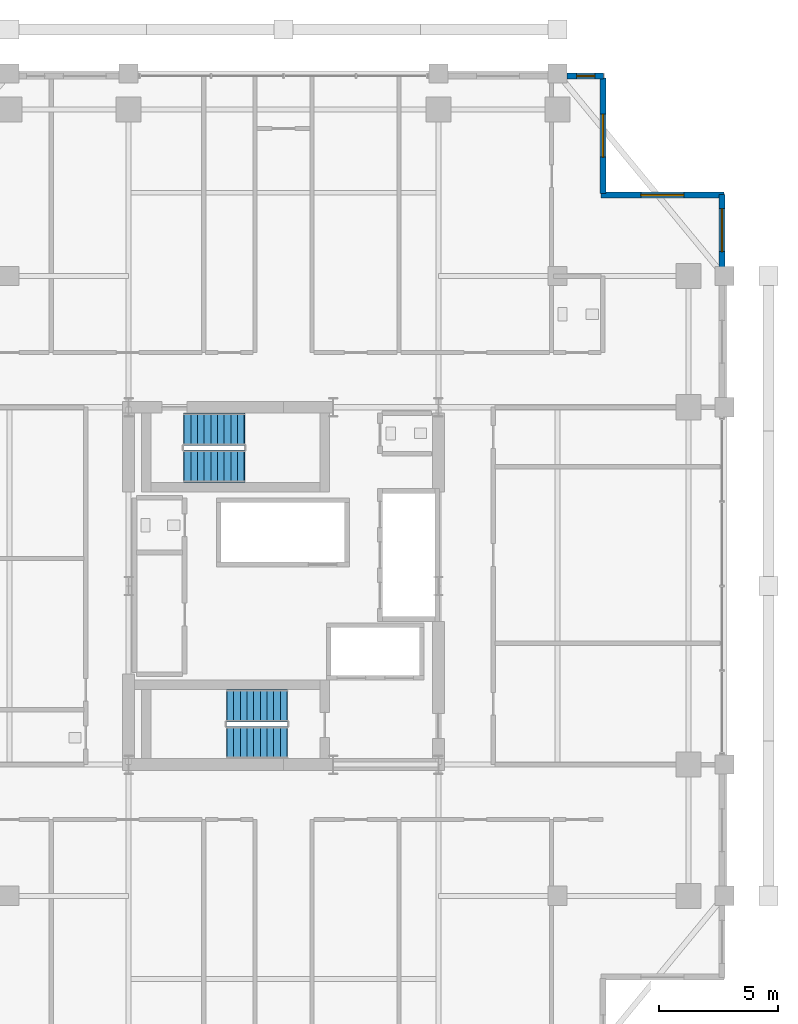
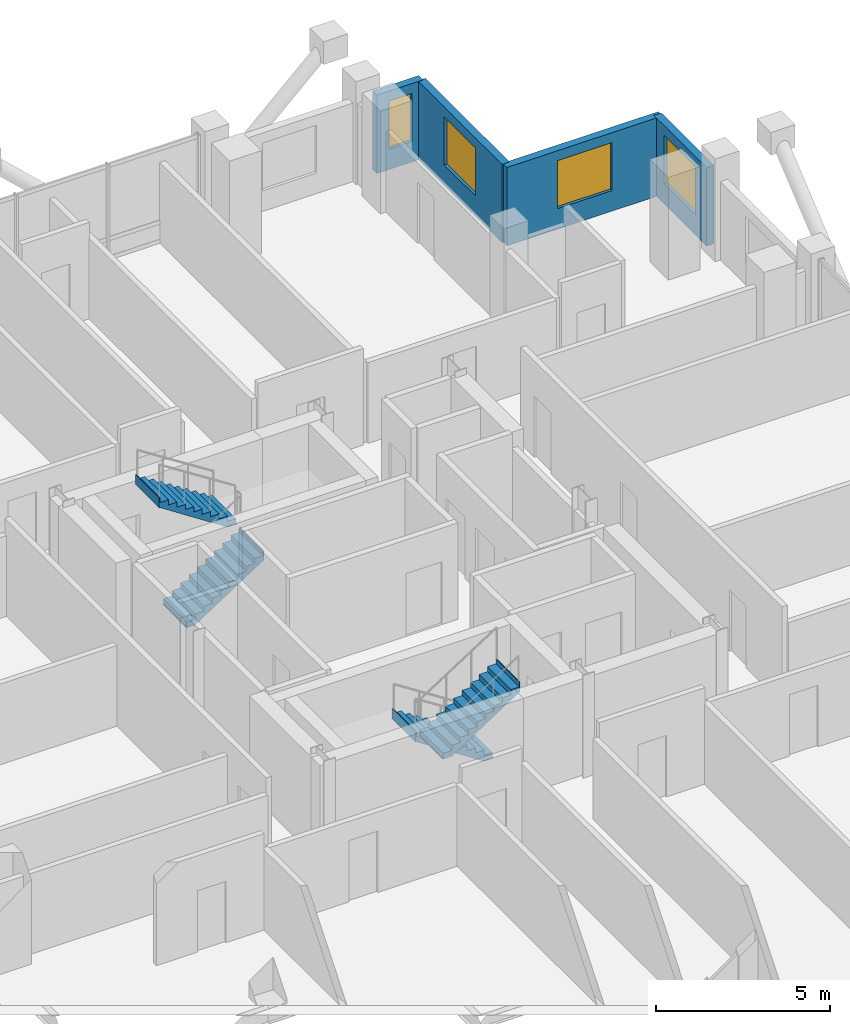
# One storey, part 21 of 23: 4 stair flights, 4 walls, 4 windows, 4 openings, 2 elements without a shape of their own.
"""IFC4 building model written with IfcOpenShell, lengths in metres."""

from ifc_helpers import new_model, si_unit, direction, frame, frame_2d, origin, place, context, subcontext, project, spatial, polyline, rectangle, outline, extrude, material, layer, layer_set, type_object, element, fill, aggregate, save


model = new_model("IFC4")

# Units and contexts
model_context = context("Model", 3, precision=1e-05, world=origin(), true_north=direction((0.0, 1.0)))
body_context = subcontext(model_context, "Body", "Model", "MODEL_VIEW")
ifc_project = project(units=[si_unit("LENGTHUNIT", "METRE"), si_unit("AREAUNIT", "SQUARE_METRE"), si_unit("VOLUMEUNIT", "CUBIC_METRE"), si_unit("PLANEANGLEUNIT", "RADIAN"), si_unit("MASSUNIT", "GRAM", prefix="KILO")], contexts=[model_context])

# Site, building, storey
site_placement = place(None, origin())
site = spatial("IfcSite", under=ifc_project, at=site_placement, CompositionType="ELEMENT")
building_placement = place(site_placement, origin())
building = spatial("IfcBuilding", under=site, at=building_placement, Name="Barlavira Tower and Art Museum", CompositionType="ELEMENT")
storey_placement = place(building_placement, frame((0.0, 0.0, 205.199951171875)))
storey = spatial("IfcBuildingStorey", under=building, at=storey_placement, Name="L53", CompositionType="ELEMENT", Elevation=205.199951171875)

# Wall, opening, window
ifc_material_1 = material(Name="Precast concrete C40", Category="concrete")
ifc_layer = layer(ifc_material_1, 0.25, Name="Precast concrete C40")
ifc_layer_set = layer_set([ifc_layer], Name="Precast concrete C40")
wall_type = type_object("IfcWallType", Name="Notched Corner Spandrel Wall 250 Precast Concrete C40", PredefinedType="SOLIDWALL", material=ifc_layer_set)
wall_1_placement = place(storey_placement, frame((13.425048828125, 21.39990234375, 0.0), z_axis=(0.0, 0.0, 1.0), x_axis=(-1.0, 0.0, 0.0)))
wall_1 = element("IfcWall", 1, at=wall_1_placement, inside=storey, type_object=wall_type, Name="L53 Coastal Facade Pier Wall CW3-L53-N-1", PredefinedType="SOLIDWALL", context=body_context, shape_type="SweptSolid", body=[
    extrude(rectangle(XDim=1.530029296875, YDim=0.25, at=frame_2d((0.76513671875, 0.0))), origin(), (0.0, 0.0, 1.0), 2.748046875),
])
opening_1_placement = place(wall_1_placement, frame((0.363037109375, 0.0, 0.719970703125)))
opening_1 = element("IfcOpeningElement", 2, at=opening_1_placement, cuts=wall_1, Name="Opening WN-06", PredefinedType="OPENING", context=body_context, shape_type="SweptSolid", body=[
    extrude(rectangle(XDim=0.760009765625, YDim=1.679931640625, at=frame_2d((0.3798828125, 0.83984375))), frame((0.0, 0.135009765625, 0.0), z_axis=(0.0, -1.0, 0.0), x_axis=(1.0, 0.0, 0.0)), (0.0, 0.0, 1.0), 0.27001953125),
])
ifc_material_2 = material(Name="Low-iron coastal laminated glass", Category="glass")
window_type_1 = type_object("IfcWindowType", Name="Recessed Narrow Pier Window 760x1680", PartitioningType="SINGLE_PANEL", PredefinedType="WINDOW", material=ifc_material_2)
window_1_placement = place(opening_1_placement, origin())
window_1 = element("IfcWindow", 3, at=window_1_placement, inside=storey, type_object=window_type_1, Name="L53 Punched Facade Window EWP-CW3-L53-N-1-1", OverallHeight=1.679931640625, OverallWidth=0.760009765625, PartitioningType="SINGLE_PANEL", PredefinedType="WINDOW", context=body_context, shape_type="SweptSolid", body=[
    extrude(rectangle(XDim=0.760009765625, YDim=1.679931640625, at=frame_2d((0.3798828125, 0.83984375))), frame((0.0, 0.030029296875, 0.0), z_axis=(0.0, -1.0, 0.0), x_axis=(1.0, 0.0, 0.0)), (0.0, 0.0, 1.0), 0.06005859375),
])
fill(opening_1, window_1)

wall_2_placement = place(storey_placement, frame((18.39990234375, 13.39501953125, 0.0), z_axis=(0.0, 0.0, 1.0), x_axis=(0.0, 1.0, 0.0)))
wall_2 = element("IfcWall", 4, at=wall_2_placement, inside=storey, type_object=wall_type, Name="L53 Coastal Facade Pier Wall CW3-L53-E-5", PredefinedType="SOLIDWALL", context=body_context, shape_type="SweptSolid", body=[
    extrude(rectangle(XDim=3.030029296875, YDim=0.25, at=frame_2d((1.51513671875, 0.0))), origin(), (0.0, 0.0, 1.0), 2.748046875),
])
opening_2_placement = place(wall_2_placement, frame((0.637939453125, 0.0, 0.719970703125)))
opening_2 = element("IfcOpeningElement", 5, at=opening_2_placement, cuts=wall_2, Name="Opening WN-01", PredefinedType="OPENING", context=body_context, shape_type="SweptSolid", body=[
    extrude(rectangle(XDim=1.800048828125, YDim=1.679931640625, at=frame_2d((0.89990234375, 0.83984375))), frame((0.0, 0.135009765625, 0.0), z_axis=(0.0, -1.0, 0.0), x_axis=(1.0, 0.0, 0.0)), (0.0, 0.0, 1.0), 0.27001953125),
])
window_type_2 = type_object("IfcWindowType", Name="Recessed Notch Corner Punch Window 1800x1680", PartitioningType="SINGLE_PANEL", PredefinedType="WINDOW", material=ifc_material_2)
window_2_placement = place(opening_2_placement, origin())
window_2 = element("IfcWindow", 6, at=window_2_placement, inside=storey, type_object=window_type_2, Name="L53 Punched Facade Window EWP-CW3-L53-E-5-1", OverallHeight=1.679931640625, OverallWidth=1.800048828125, PartitioningType="SINGLE_PANEL", PredefinedType="WINDOW", context=body_context, shape_type="SweptSolid", body=[
    extrude(rectangle(XDim=1.800048828125, YDim=1.679931640625, at=frame_2d((0.89990234375, 0.83984375))), frame((0.0, 0.030029296875, 0.0), z_axis=(0.0, -1.0, 0.0), x_axis=(1.0, 0.0, 0.0)), (0.0, 0.0, 1.0), 0.06005859375),
])
fill(opening_2, window_2)

wall_3_placement = place(storey_placement, frame((18.47998046875, 16.39990234375, 0.0), z_axis=(0.0, 0.0, 1.0), x_axis=(-1.0, 0.0, 0.0)))
wall_3 = element("IfcWall", 7, at=wall_3_placement, inside=storey, type_object=wall_type, Name="L53 Notch Corner Wall NE1", PredefinedType="SOLIDWALL", context=body_context, shape_type="SweptSolid", body=[
    extrude(rectangle(XDim=5.159912109375, YDim=0.25, at=frame_2d((2.580078125, 0.0))), origin(), (0.0, 0.0, 1.0), 2.748046875),
])
opening_3_placement = place(wall_3_placement, frame((1.679931640625, 0.0, 0.719970703125)))
opening_3 = element("IfcOpeningElement", 8, at=opening_3_placement, cuts=wall_3, Name="Opening WN-01", PredefinedType="OPENING", context=body_context, shape_type="SweptSolid", body=[
    extrude(rectangle(XDim=1.800048828125, YDim=1.679931640625, at=frame_2d((0.89990234375, 0.83984375))), frame((0.0, 0.135009765625, 0.0), z_axis=(0.0, -1.0, 0.0), x_axis=(1.0, 0.0, 0.0)), (0.0, 0.0, 1.0), 0.27001953125),
])
window_3_placement = place(opening_3_placement, origin())
window_3 = element("IfcWindow", 9, at=window_3_placement, inside=storey, type_object=window_type_2, Name="L53 Punched Facade Window EW-NTC-L53-NE1-1", OverallHeight=1.679931640625, OverallWidth=1.800048828125, PartitioningType="SINGLE_PANEL", PredefinedType="WINDOW", context=body_context, shape_type="SweptSolid", body=[
    extrude(rectangle(XDim=1.800048828125, YDim=1.679931640625, at=frame_2d((0.89990234375, 0.83984375))), frame((0.0, 0.030029296875, 0.0), z_axis=(0.0, -1.0, 0.0), x_axis=(1.0, 0.0, 0.0)), (0.0, 0.0, 1.0), 0.06005859375),
])
fill(opening_3, window_3)

wall_4_placement = place(storey_placement, frame((13.39990234375, 16.47998046875, 0.0), z_axis=(0.0, 0.0, 1.0), x_axis=(0.0, 1.0, 0.0)))
wall_4 = element("IfcWall", 10, at=wall_4_placement, inside=storey, type_object=wall_type, Name="L53 Notch Corner Wall NE2", PredefinedType="SOLIDWALL", context=body_context, shape_type="SweptSolid", body=[
    extrude(rectangle(XDim=4.840087890625, YDim=0.25, at=frame_2d((2.419921875, 0.0))), origin(), (0.0, 0.0, 1.0), 2.748046875),
])
opening_4_placement = place(wall_4_placement, frame((1.52001953125, 0.0, 0.719970703125)))
opening_4 = element("IfcOpeningElement", 11, at=opening_4_placement, cuts=wall_4, Name="Opening WN-01", PredefinedType="OPENING", context=body_context, shape_type="SweptSolid", body=[
    extrude(rectangle(XDim=1.800048828125, YDim=1.679931640625, at=frame_2d((0.89990234375, 0.83984375))), frame((0.0, 0.135009765625, 0.0), z_axis=(0.0, -1.0, 0.0), x_axis=(1.0, 0.0, 0.0)), (0.0, 0.0, 1.0), 0.27001953125),
])
window_4_placement = place(opening_4_placement, origin())
window_4 = element("IfcWindow", 12, at=window_4_placement, inside=storey, type_object=window_type_2, Name="L53 Punched Facade Window EW-NTC-L53-NE2-1", OverallHeight=1.679931640625, OverallWidth=1.800048828125, PartitioningType="SINGLE_PANEL", PredefinedType="WINDOW", context=body_context, shape_type="SweptSolid", body=[
    extrude(rectangle(XDim=1.800048828125, YDim=1.679931640625, at=frame_2d((0.89990234375, 0.83984375))), frame((0.0, 0.030029296875, 0.0), z_axis=(0.0, -1.0, 0.0), x_axis=(1.0, 0.0, 0.0)), (0.0, 0.0, 1.0), 0.06005859375),
])
fill(opening_4, window_4)

# Stair, stair flights
ifc_material_3 = material(Name="Concrete C45", Category="concrete")
stair_type_1 = type_object("IfcStairType", Name="Tower North Dog-Leg Exit Stair Assembly Concrete C45", PredefinedType="TWO_QUARTER_TURN_STAIR", material=ifc_material_3)
stair_1_placement = place(storey_placement, origin())
stair_1 = element("IfcStair", 13, at=stair_1_placement, inside=storey, type_object=stair_type_1, Name="L53 Tower North Exit Stair ST-T2", PredefinedType="TWO_QUARTER_TURN_STAIR")
ifc_material_4 = material(Name="Precast concrete C45", Category="concrete")
stair_flight_type_1 = type_object("IfcStairFlightType", Name="Tower North Dog-Leg Exit Stair Precast Flight 1350 Concrete C45", PredefinedType="STRAIGHT", material=ifc_material_4)
stair_flight_1_placement = place(storey_placement, frame((-4.169921875, 5.02490234375, 0.0), z_axis=(0.0, 0.0, 1.0), x_axis=(1.0, 0.0, 0.0)))
stair_flight_1 = element("IfcStairFlight", 14, at=stair_flight_1_placement, type_object=stair_flight_type_1, Name="ST-T2 flight 1", NumberOfRisers=10, NumberOfTreads=9, PredefinedType="STRAIGHT", RiserHeight=0.18, TreadLength=0.28, context=body_context, shape_type="SweptSolid", body=[
    extrude(outline(polyline([(-0.02490234375, 0.0), (0.0, 0.0), (0.0, 0.179931640625), (0.280029296875, 0.179931640625), (0.280029296875, 0.360107421875), (0.56005859375, 0.360107421875), (0.56005859375, 0.5400390625), (0.840087890625, 0.5400390625), (0.840087890625, 0.719970703125), (1.1201171875, 0.719970703125), (1.1201171875, 0.89990234375), (1.39990234375, 0.89990234375), (1.39990234375, 1.080078125), (1.679931640625, 1.080078125), (1.679931640625, 1.260009765625), (1.9599609375, 1.260009765625), (1.9599609375, 1.43994140625), (2.239990234375, 1.43994140625), (2.239990234375, 1.6201171875), (2.52001953125, 1.6201171875), (2.52001953125, 1.800048828125), (2.544921875, 1.800048828125), (2.544921875, 1.44189453125), (2.52001953125, 1.44189453125), (0.277099609375, -0.02490234375), (-0.02490234375, -0.02490234375), (-0.02490234375, 0.0)])), frame((0.0, 0.675048828125, 0.0), z_axis=(0.0, -1.0, 0.0), x_axis=(1.0, 0.0, 0.0)), (0.0, 0.0, 1.0), 1.35009765625),
])
stair_flight_2_placement = place(storey_placement, frame((-1.64990234375, 6.574951171875, 1.800048828125), z_axis=(0.0, 0.0, 1.0), x_axis=(-1.0, 0.0, 0.0)))
stair_flight_2 = element("IfcStairFlight", 15, at=stair_flight_2_placement, type_object=stair_flight_type_1, Name="ST-T2 flight 2", NumberOfRisers=10, NumberOfTreads=9, PredefinedType="STRAIGHT", RiserHeight=0.18, TreadLength=0.28, context=body_context, shape_type="SweptSolid", body=[
    extrude(outline(polyline([(-0.02490234375, 0.0), (0.0, 0.0), (0.0, 0.179931640625), (0.280029296875, 0.179931640625), (0.280029296875, 0.360107421875), (0.56005859375, 0.360107421875), (0.56005859375, 0.5400390625), (0.840087890625, 0.5400390625), (0.840087890625, 0.719970703125), (1.1201171875, 0.719970703125), (1.1201171875, 0.89990234375), (1.39990234375, 0.89990234375), (1.39990234375, 1.080078125), (1.679931640625, 1.080078125), (1.679931640625, 1.260009765625), (1.9599609375, 1.260009765625), (1.9599609375, 1.43994140625), (2.239990234375, 1.43994140625), (2.239990234375, 1.6201171875), (2.52001953125, 1.6201171875), (2.52001953125, 1.800048828125), (2.544921875, 1.800048828125), (2.544921875, 1.44189453125), (2.52001953125, 1.44189453125), (0.277099609375, -0.02490234375), (-0.02490234375, -0.02490234375), (-0.02490234375, 0.0)])), frame((0.0, 0.675048828125, 0.0), z_axis=(0.0, -1.0, 0.0), x_axis=(1.0, 0.0, 0.0)), (0.0, 0.0, 1.0), 1.35009765625),
])
aggregate(stair_1, [stair_flight_1, stair_flight_2])

stair_type_2 = type_object("IfcStairType", Name="Tower South Dog-Leg Exit Stair Assembly Concrete C45", PredefinedType="TWO_QUARTER_TURN_STAIR", material=ifc_material_3)
stair_2_placement = place(storey_placement, origin())
stair_2 = element("IfcStair", 16, at=stair_2_placement, inside=storey, type_object=stair_type_2, Name="L53 Tower South Exit Stair ST-T1", PredefinedType="TWO_QUARTER_TURN_STAIR")
stair_flight_type_2 = type_object("IfcStairFlightType", Name="Tower South Dog-Leg Exit Stair Precast Flight 1350 Concrete C45", PredefinedType="STRAIGHT", material=ifc_material_4)
stair_flight_3_placement = place(storey_placement, frame((0.14990234375, -5.02490234375, 0.0), z_axis=(0.0, 0.0, 1.0), x_axis=(-1.0, 0.0, 0.0)))
stair_flight_3 = element("IfcStairFlight", 17, at=stair_flight_3_placement, type_object=stair_flight_type_2, Name="ST-T1 flight 1", NumberOfRisers=10, NumberOfTreads=9, PredefinedType="STRAIGHT", RiserHeight=0.18, TreadLength=0.28, context=body_context, shape_type="SweptSolid", body=[
    extrude(outline(polyline([(-0.02490234375, 0.0), (0.0, 0.0), (0.0, 0.179931640625), (0.280029296875, 0.179931640625), (0.280029296875, 0.360107421875), (0.56005859375, 0.360107421875), (0.56005859375, 0.5400390625), (0.840087890625, 0.5400390625), (0.840087890625, 0.719970703125), (1.1201171875, 0.719970703125), (1.1201171875, 0.89990234375), (1.39990234375, 0.89990234375), (1.39990234375, 1.080078125), (1.679931640625, 1.080078125), (1.679931640625, 1.260009765625), (1.9599609375, 1.260009765625), (1.9599609375, 1.43994140625), (2.239990234375, 1.43994140625), (2.239990234375, 1.6201171875), (2.52001953125, 1.6201171875), (2.52001953125, 1.800048828125), (2.544921875, 1.800048828125), (2.544921875, 1.44189453125), (2.52001953125, 1.44189453125), (0.277099609375, -0.02490234375), (-0.02490234375, -0.02490234375), (-0.02490234375, 0.0)])), frame((0.0, 0.675048828125, 0.0), z_axis=(0.0, -1.0, 0.0), x_axis=(1.0, 0.0, 0.0)), (0.0, 0.0, 1.0), 1.35009765625),
])
stair_flight_4_placement = place(storey_placement, frame((-2.3701171875, -6.574951171875, 1.800048828125), z_axis=(0.0, 0.0, 1.0), x_axis=(1.0, 0.0, 0.0)))
stair_flight_4 = element("IfcStairFlight", 18, at=stair_flight_4_placement, type_object=stair_flight_type_2, Name="ST-T1 flight 2", NumberOfRisers=10, NumberOfTreads=9, PredefinedType="STRAIGHT", RiserHeight=0.18, TreadLength=0.28, context=body_context, shape_type="SweptSolid", body=[
    extrude(outline(polyline([(-0.02490234375, 0.0), (0.0, 0.0), (0.0, 0.179931640625), (0.280029296875, 0.179931640625), (0.280029296875, 0.360107421875), (0.56005859375, 0.360107421875), (0.56005859375, 0.5400390625), (0.840087890625, 0.5400390625), (0.840087890625, 0.719970703125), (1.1201171875, 0.719970703125), (1.1201171875, 0.89990234375), (1.39990234375, 0.89990234375), (1.39990234375, 1.080078125), (1.679931640625, 1.080078125), (1.679931640625, 1.260009765625), (1.9599609375, 1.260009765625), (1.9599609375, 1.43994140625), (2.239990234375, 1.43994140625), (2.239990234375, 1.6201171875), (2.52001953125, 1.6201171875), (2.52001953125, 1.800048828125), (2.544921875, 1.800048828125), (2.544921875, 1.44189453125), (2.52001953125, 1.44189453125), (0.277099609375, -0.02490234375), (-0.02490234375, -0.02490234375), (-0.02490234375, 0.0)])), frame((0.0, 0.675048828125, 0.0), z_axis=(0.0, -1.0, 0.0), x_axis=(1.0, 0.0, 0.0)), (0.0, 0.0, 1.0), 1.35009765625),
])
aggregate(stair_2, [stair_flight_3, stair_flight_4])

save(model, "model.ifc")
